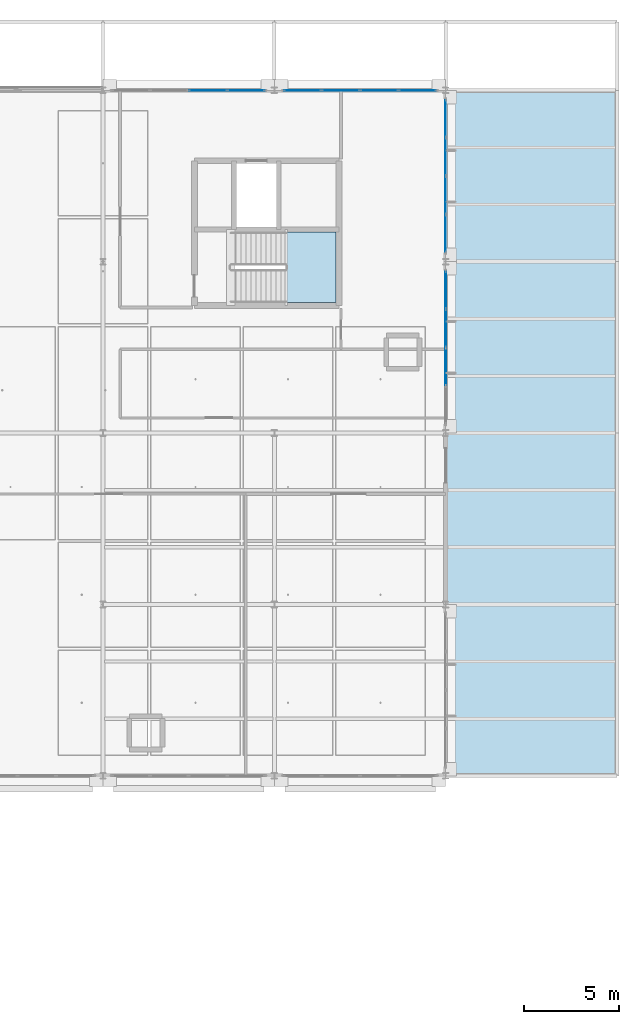
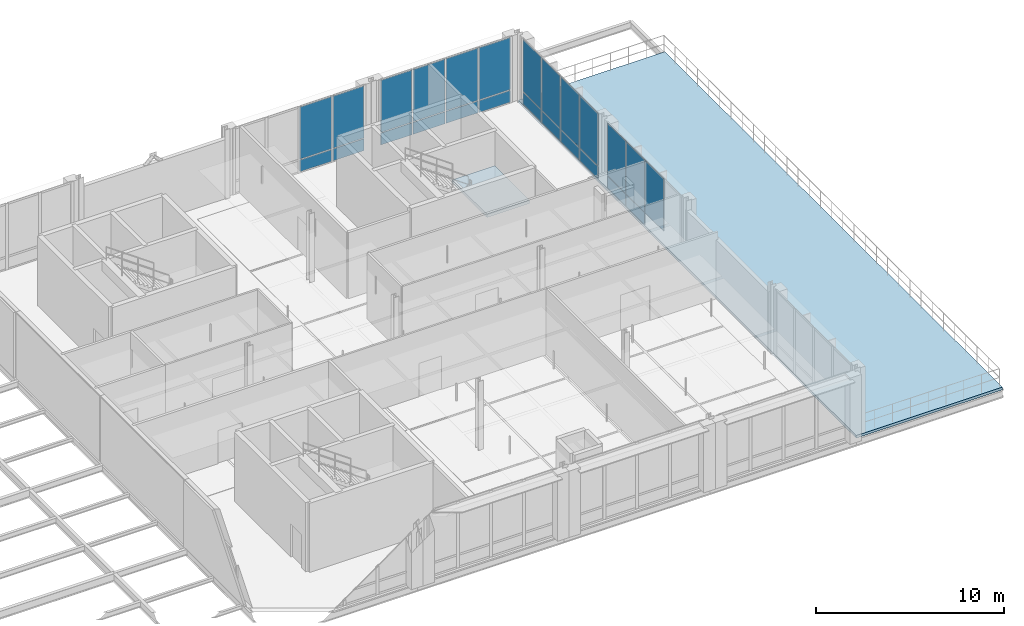
# One storey, part 35 of 66: 25 plates, 2 slabs, 5 elements without a shape of their own.
"""IFC4 building model written with IfcOpenShell, lengths in metres."""

from ifc_helpers import new_model, si_unit, direction, frame, origin, origin_2d, place, context, subcontext, project, spatial, polyline, rectangle, outline, extrude, material, layer, layer_set, type_object, element, aggregate, save


model = new_model("IFC4")

# Units and contexts
model_context = context("Model", 3, precision=1e-05, world=origin(), true_north=direction((0.0, 1.0)))
body_context = subcontext(model_context, "Body", "Model", "MODEL_VIEW")
ifc_project = project(units=[si_unit("LENGTHUNIT", "METRE"), si_unit("AREAUNIT", "SQUARE_METRE"), si_unit("VOLUMEUNIT", "CUBIC_METRE"), si_unit("PLANEANGLEUNIT", "RADIAN"), si_unit("MASSUNIT", "GRAM", prefix="KILO"), si_unit("THERMODYNAMICTEMPERATUREUNIT", "KELVIN"), si_unit("POWERUNIT", "WATT")], contexts=[model_context])

# Site, building, storey
site_placement = place(None, origin())
site = spatial("IfcSite", under=ifc_project, at=site_placement, CompositionType="ELEMENT")
building_placement = place(site_placement, origin())
building = spatial("IfcBuilding", under=site, at=building_placement, Name="Tallowbark Science Centre", CompositionType="ELEMENT")
storey_placement = place(building_placement, frame((0.0, 0.0, 18.89990234375)))
storey = spatial("IfcBuildingStorey", under=building, at=storey_placement, Name="L04", CompositionType="ELEMENT", Elevation=18.89990234375)

# Curtain wall, plates
ifc_material_1 = material(Name="Unitised Thermally Broken Aluminium and Low-E Double Glazing", Category="aluminium")
curtain_wall_type = type_object("IfcCurtainWallType", Name="CW-SYS-FACADE", PredefinedType="NOTDEFINED", material=ifc_material_1)
curtain_wall_1_placement = place(storey_placement, origin())
curtain_wall_1 = element("IfcCurtainWall", 1, at=curtain_wall_1_placement, inside=storey, type_object=curtain_wall_type, Name="Unitised Curtain Wall OBS4-N-130 CW-L04-194", PredefinedType="NOTDEFINED")
ifc_material_2 = material(Name="Double Glazed Argon Low-E Vision Glass", Category="glass")
ifc_layer_1 = layer(ifc_material_2, 0.028076171875)
ifc_layer_set_1 = layer_set([ifc_layer_1], Name="Double Glazed Argon Low-E Vision Glass")
plate_type_1 = type_object("IfcPlateType", Name="CWP-GLZ-28", PredefinedType="CURTAIN_PANEL", material=ifc_layer_set_1)
plate_1_placement = place(storey_placement, frame((138.021240234375, 108.0, 0.05517578125), z_axis=(0.0, 0.0, 1.0), x_axis=(-1.0, 0.0, 0.0)))
plate_1 = element("IfcPlate", 2, at=plate_1_placement, type_object=plate_type_1, Name="CW-01 panel 1.1", PredefinedType="CURTAIN_PANEL", context=body_context, shape_type="SweptSolid", body=[
    extrude(rectangle(XDim=1.927490234375, YDim=0.028076171875, at=origin_2d()), origin(), (0.0, 0.0, 1.0), 0.767578125),
])
plate_2_placement = place(storey_placement, frame((138.021240234375, 108.0, 0.87744140625), z_axis=(0.0, 0.0, 1.0), x_axis=(-1.0, 0.0, 0.0)))
plate_2 = element("IfcPlate", 3, at=plate_2_placement, type_object=plate_type_1, Name="CW-01 panel 1.2", PredefinedType="CURTAIN_PANEL", context=body_context, shape_type="SweptSolid", body=[
    extrude(rectangle(XDim=1.927490234375, YDim=0.028076171875, at=origin_2d()), origin(), (0.0, 0.0, 1.0), 3.387451171875),
])
plate_3_placement = place(storey_placement, frame((136.012451171875, 108.0, 0.05517578125), z_axis=(0.0, 0.0, 1.0), x_axis=(-1.0, 0.0, 0.0)))
plate_3 = element("IfcPlate", 4, at=plate_3_placement, type_object=plate_type_1, Name="CW-01 panel 2.1", PredefinedType="CURTAIN_PANEL", context=body_context, shape_type="SweptSolid", body=[
    extrude(rectangle(XDim=1.9599609375, YDim=0.028076171875, at=origin_2d()), origin(), (0.0, 0.0, 1.0), 0.767578125),
])
plate_4_placement = place(storey_placement, frame((136.012451171875, 108.0, 0.87744140625), z_axis=(0.0, 0.0, 1.0), x_axis=(-1.0, 0.0, 0.0)))
plate_4 = element("IfcPlate", 5, at=plate_4_placement, type_object=plate_type_1, Name="CW-01 panel 2.2", PredefinedType="CURTAIN_PANEL", context=body_context, shape_type="SweptSolid", body=[
    extrude(rectangle(XDim=1.9599609375, YDim=0.028076171875, at=origin_2d()), origin(), (0.0, 0.0, 1.0), 3.387451171875),
])
aggregate(curtain_wall_1, [plate_1, plate_2, plate_3, plate_4])

curtain_wall_2_placement = place(storey_placement, origin())
curtain_wall_2 = element("IfcCurtainWall", 6, at=curtain_wall_2_placement, inside=storey, type_object=curtain_wall_type, Name="Unitised Curtain Wall OBS4-N-139 CW-L04-196", PredefinedType="NOTDEFINED")
plate_5_placement = place(storey_placement, frame((147.021240234375, 108.0, 0.05517578125), z_axis=(0.0, 0.0, 1.0), x_axis=(-1.0, 0.0, 0.0)))
plate_5 = element("IfcPlate", 7, at=plate_5_placement, type_object=plate_type_1, Name="CW-01 panel 1.1", PredefinedType="CURTAIN_PANEL", context=body_context, shape_type="SweptSolid", body=[
    extrude(rectangle(XDim=1.927490234375, YDim=0.028076171875, at=origin_2d()), origin(), (0.0, 0.0, 1.0), 0.767578125),
])
plate_6_placement = place(storey_placement, frame((147.021240234375, 108.0, 0.87744140625), z_axis=(0.0, 0.0, 1.0), x_axis=(-1.0, 0.0, 0.0)))
plate_6 = element("IfcPlate", 8, at=plate_6_placement, type_object=plate_type_1, Name="CW-01 panel 1.2", PredefinedType="CURTAIN_PANEL", context=body_context, shape_type="SweptSolid", body=[
    extrude(rectangle(XDim=1.927490234375, YDim=0.028076171875, at=origin_2d()), origin(), (0.0, 0.0, 1.0), 3.387451171875),
])
plate_7_placement = place(storey_placement, frame((145.012451171875, 108.0, 0.05517578125), z_axis=(0.0, 0.0, 1.0), x_axis=(-1.0, 0.0, 0.0)))
plate_7 = element("IfcPlate", 9, at=plate_7_placement, type_object=plate_type_1, Name="CW-01 panel 2.1", PredefinedType="CURTAIN_PANEL", context=body_context, shape_type="SweptSolid", body=[
    extrude(rectangle(XDim=1.9599609375, YDim=0.028076171875, at=origin_2d()), origin(), (0.0, 0.0, 1.0), 0.767578125),
])
plate_8_placement = place(storey_placement, frame((145.012451171875, 108.0, 0.87744140625), z_axis=(0.0, 0.0, 1.0), x_axis=(-1.0, 0.0, 0.0)))
plate_8 = element("IfcPlate", 10, at=plate_8_placement, type_object=plate_type_1, Name="CW-01 panel 2.2", PredefinedType="CURTAIN_PANEL", context=body_context, shape_type="SweptSolid", body=[
    extrude(rectangle(XDim=1.9599609375, YDim=0.028076171875, at=origin_2d()), origin(), (0.0, 0.0, 1.0), 3.387451171875),
])
plate_9_placement = place(storey_placement, frame((142.987548828125, 108.0, 0.05517578125), z_axis=(0.0, 0.0, 1.0), x_axis=(-1.0, 0.0, 0.0)))
plate_9 = element("IfcPlate", 11, at=plate_9_placement, type_object=plate_type_1, Name="CW-01 panel 3.1", PredefinedType="CURTAIN_PANEL", context=body_context, shape_type="SweptSolid", body=[
    extrude(rectangle(XDim=1.9599609375, YDim=0.028076171875, at=origin_2d()), origin(), (0.0, 0.0, 1.0), 0.767578125),
])
plate_10_placement = place(storey_placement, frame((142.987548828125, 108.0, 0.87744140625), z_axis=(0.0, 0.0, 1.0), x_axis=(-1.0, 0.0, 0.0)))
plate_10 = element("IfcPlate", 12, at=plate_10_placement, type_object=plate_type_1, Name="CW-01 panel 3.2", PredefinedType="CURTAIN_PANEL", context=body_context, shape_type="SweptSolid", body=[
    extrude(rectangle(XDim=1.9599609375, YDim=0.028076171875, at=origin_2d()), origin(), (0.0, 0.0, 1.0), 3.387451171875),
])
plate_11_placement = place(storey_placement, frame((140.978759765625, 108.0, 0.05517578125), z_axis=(0.0, 0.0, 1.0), x_axis=(-1.0, 0.0, 0.0)))
plate_11 = element("IfcPlate", 13, at=plate_11_placement, type_object=plate_type_1, Name="CW-01 panel 4.1", PredefinedType="CURTAIN_PANEL", context=body_context, shape_type="SweptSolid", body=[
    extrude(rectangle(XDim=1.927490234375, YDim=0.028076171875, at=origin_2d()), origin(), (0.0, 0.0, 1.0), 0.767578125),
])
plate_12_placement = place(storey_placement, frame((140.978759765625, 108.0, 0.87744140625), z_axis=(0.0, 0.0, 1.0), x_axis=(-1.0, 0.0, 0.0)))
plate_12 = element("IfcPlate", 14, at=plate_12_placement, type_object=plate_type_1, Name="CW-01 panel 4.2", PredefinedType="CURTAIN_PANEL", context=body_context, shape_type="SweptSolid", body=[
    extrude(rectangle(XDim=1.927490234375, YDim=0.028076171875, at=origin_2d()), origin(), (0.0, 0.0, 1.0), 3.387451171875),
])
aggregate(curtain_wall_2, [plate_5, plate_6, plate_7, plate_8, plate_9, plate_10, plate_11, plate_12])

curtain_wall_3_placement = place(storey_placement, origin())
curtain_wall_3 = element("IfcCurtainWall", 15, at=curtain_wall_3_placement, inside=storey, type_object=curtain_wall_type, Name="Unitised Curtain Wall OBS4-E-99 CW-L04-199", PredefinedType="NOTDEFINED")
plate_13_placement = place(storey_placement, frame((148.5, 100.478759765625, 0.05517578125), z_axis=(0.0, 0.0, 1.0), x_axis=(0.0, 1.0, 0.0)))
plate_13 = element("IfcPlate", 16, at=plate_13_placement, type_object=plate_type_1, Name="CW-01 panel 1.1", PredefinedType="CURTAIN_PANEL", context=body_context, shape_type="SweptSolid", body=[
    extrude(rectangle(XDim=1.927490234375, YDim=0.028076171875, at=origin_2d()), origin(), (0.0, 0.0, 1.0), 0.767578125),
])
plate_14_placement = place(storey_placement, frame((148.5, 100.478759765625, 0.87744140625), z_axis=(0.0, 0.0, 1.0), x_axis=(0.0, 1.0, 0.0)))
plate_14 = element("IfcPlate", 17, at=plate_14_placement, type_object=plate_type_1, Name="CW-01 panel 1.2", PredefinedType="CURTAIN_PANEL", context=body_context, shape_type="SweptSolid", body=[
    extrude(rectangle(XDim=1.927490234375, YDim=0.028076171875, at=origin_2d()), origin(), (0.0, 0.0, 1.0), 3.387451171875),
])
plate_15_placement = place(storey_placement, frame((148.5, 102.487548828125, 0.05517578125), z_axis=(0.0, 0.0, 1.0), x_axis=(0.0, 1.0, 0.0)))
plate_15 = element("IfcPlate", 18, at=plate_15_placement, type_object=plate_type_1, Name="CW-01 panel 2.1", PredefinedType="CURTAIN_PANEL", context=body_context, shape_type="SweptSolid", body=[
    extrude(rectangle(XDim=1.9599609375, YDim=0.028076171875, at=origin_2d()), origin(), (0.0, 0.0, 1.0), 0.767578125),
])
plate_16_placement = place(storey_placement, frame((148.5, 102.487548828125, 0.87744140625), z_axis=(0.0, 0.0, 1.0), x_axis=(0.0, 1.0, 0.0)))
plate_16 = element("IfcPlate", 19, at=plate_16_placement, type_object=plate_type_1, Name="CW-01 panel 2.2", PredefinedType="CURTAIN_PANEL", context=body_context, shape_type="SweptSolid", body=[
    extrude(rectangle(XDim=1.9599609375, YDim=0.028076171875, at=origin_2d()), origin(), (0.0, 0.0, 1.0), 3.387451171875),
])
plate_17_placement = place(storey_placement, frame((148.5, 104.512451171875, 0.05517578125), z_axis=(0.0, 0.0, 1.0), x_axis=(0.0, 1.0, 0.0)))
plate_17 = element("IfcPlate", 20, at=plate_17_placement, type_object=plate_type_1, Name="CW-01 panel 3.1", PredefinedType="CURTAIN_PANEL", context=body_context, shape_type="SweptSolid", body=[
    extrude(rectangle(XDim=1.9599609375, YDim=0.028076171875, at=origin_2d()), origin(), (0.0, 0.0, 1.0), 0.767578125),
])
plate_18_placement = place(storey_placement, frame((148.5, 104.512451171875, 0.87744140625), z_axis=(0.0, 0.0, 1.0), x_axis=(0.0, 1.0, 0.0)))
plate_18 = element("IfcPlate", 21, at=plate_18_placement, type_object=plate_type_1, Name="CW-01 panel 3.2", PredefinedType="CURTAIN_PANEL", context=body_context, shape_type="SweptSolid", body=[
    extrude(rectangle(XDim=1.9599609375, YDim=0.028076171875, at=origin_2d()), origin(), (0.0, 0.0, 1.0), 3.387451171875),
])
plate_19_placement = place(storey_placement, frame((148.5, 106.521240234375, 0.05517578125), z_axis=(0.0, 0.0, 1.0), x_axis=(0.0, 1.0, 0.0)))
plate_19 = element("IfcPlate", 22, at=plate_19_placement, type_object=plate_type_1, Name="CW-01 panel 4.1", PredefinedType="CURTAIN_PANEL", context=body_context, shape_type="SweptSolid", body=[
    extrude(rectangle(XDim=1.927490234375, YDim=0.028076171875, at=origin_2d()), origin(), (0.0, 0.0, 1.0), 0.767578125),
])
plate_20_placement = place(storey_placement, frame((148.5, 106.521240234375, 0.87744140625), z_axis=(0.0, 0.0, 1.0), x_axis=(0.0, 1.0, 0.0)))
plate_20 = element("IfcPlate", 23, at=plate_20_placement, type_object=plate_type_1, Name="CW-01 panel 4.2", PredefinedType="CURTAIN_PANEL", context=body_context, shape_type="SweptSolid", body=[
    extrude(rectangle(XDim=1.927490234375, YDim=0.028076171875, at=origin_2d()), origin(), (0.0, 0.0, 1.0), 3.387451171875),
])
aggregate(curtain_wall_3, [plate_13, plate_14, plate_15, plate_16, plate_17, plate_18, plate_19, plate_20])

curtain_wall_4_placement = place(storey_placement, origin())
curtain_wall_4 = element("IfcCurtainWall", 24, at=curtain_wall_4_placement, inside=storey, type_object=curtain_wall_type, Name="Unitised Curtain Wall OBS4-E-90 CW-L04-198", PredefinedType="NOTDEFINED")
ifc_material_3 = material(Name="Ceramic-Fritted Insulated Glass Spandrel Panel", Category="glass")
ifc_layer_2 = layer(ifc_material_3, 0.031982421875)
ifc_layer_set_2 = layer_set([ifc_layer_2], Name="Ceramic-Fritted Insulated Glass Spandrel Panel")
plate_type_2 = type_object("IfcPlateType", Name="CWP-SPN-32", PredefinedType="CURTAIN_PANEL", material=ifc_layer_set_2)
plate_21_placement = place(storey_placement, frame((148.5, 93.487548828125, 0.87744140625), z_axis=(0.0, 0.0, 1.0), x_axis=(0.0, 1.0, 0.0)))
plate_21 = element("IfcPlate", 25, at=plate_21_placement, type_object=plate_type_2, Name="CW-01 panel 2.2", PredefinedType="CURTAIN_PANEL", context=body_context, shape_type="SweptSolid", body=[
    extrude(rectangle(XDim=1.9599609375, YDim=0.031982421875, at=origin_2d()), origin(), (0.0, 0.0, 1.0), 3.387451171875),
])
plate_22_placement = place(storey_placement, frame((148.5, 95.512451171875, 0.05517578125), z_axis=(0.0, 0.0, 1.0), x_axis=(0.0, 1.0, 0.0)))
plate_22 = element("IfcPlate", 26, at=plate_22_placement, type_object=plate_type_2, Name="CW-01 panel 3.1", PredefinedType="CURTAIN_PANEL", context=body_context, shape_type="SweptSolid", body=[
    extrude(rectangle(XDim=1.9599609375, YDim=0.031982421875, at=origin_2d()), origin(), (0.0, 0.0, 1.0), 0.767578125),
])
plate_23_placement = place(storey_placement, frame((148.5, 95.512451171875, 0.87744140625), z_axis=(0.0, 0.0, 1.0), x_axis=(0.0, 1.0, 0.0)))
plate_23 = element("IfcPlate", 27, at=plate_23_placement, type_object=plate_type_2, Name="CW-01 panel 3.2", PredefinedType="CURTAIN_PANEL", context=body_context, shape_type="SweptSolid", body=[
    extrude(rectangle(XDim=1.9599609375, YDim=0.031982421875, at=origin_2d()), origin(), (0.0, 0.0, 1.0), 3.387451171875),
])
plate_24_placement = place(storey_placement, frame((148.5, 97.521240234375, 0.05517578125), z_axis=(0.0, 0.0, 1.0), x_axis=(0.0, 1.0, 0.0)))
plate_24 = element("IfcPlate", 28, at=plate_24_placement, type_object=plate_type_2, Name="CW-01 panel 4.1", PredefinedType="CURTAIN_PANEL", context=body_context, shape_type="SweptSolid", body=[
    extrude(rectangle(XDim=1.927490234375, YDim=0.031982421875, at=origin_2d()), origin(), (0.0, 0.0, 1.0), 0.767578125),
])
plate_25_placement = place(storey_placement, frame((148.5, 97.521240234375, 0.87744140625), z_axis=(0.0, 0.0, 1.0), x_axis=(0.0, 1.0, 0.0)))
plate_25 = element("IfcPlate", 29, at=plate_25_placement, type_object=plate_type_2, Name="CW-01 panel 4.2", PredefinedType="CURTAIN_PANEL", context=body_context, shape_type="SweptSolid", body=[
    extrude(rectangle(XDim=1.927490234375, YDim=0.031982421875, at=origin_2d()), origin(), (0.0, 0.0, 1.0), 3.387451171875),
])
aggregate(curtain_wall_4, [plate_21, plate_22, plate_23, plate_24, plate_25])

# Stair, slab
ifc_material_4 = material(Name="Concrete Grade N40 (40 MPa)", Category="concrete")
stair_type = type_object("IfcStairType", Name="STR-C4", PredefinedType="HALF_TURN_STAIR", material=ifc_material_4)
stair_placement = place(storey_placement, origin())
stair = element("IfcStair", 30, at=stair_placement, inside=storey, type_object=stair_type, Name="L04 Fire Stair ST-04", PredefinedType="HALF_TURN_STAIR")
ifc_layer_3 = layer(ifc_material_4, 0.199951171875)
ifc_layer_set_3 = layer_set([ifc_layer_3], Name="Concrete Grade N40 (40 MPa)")
slab_type_1 = type_object("IfcSlabType", Name="SLB-LND-200", PredefinedType="LANDING", material=ifc_layer_set_3)
slab_1_placement = place(storey_placement, frame((0.0, 0.0, 2.050048828125)))
slab_1 = element("IfcSlab", 31, at=slab_1_placement, type_object=slab_type_1, Name="ST-04 landing 1", PredefinedType="LANDING", context=body_context, shape_type="SweptSolid", body=[
    extrude(outline(polyline([(140.125, 96.85009765625), (142.75, 96.85009765625), (142.75, 100.570068359375), (140.125, 100.570068359375), (140.125, 96.85009765625)])), origin(), (0.0, 0.0, 1.0), 0.199951171875),
])
aggregate(stair, [slab_1])

# Slab
ifc_layer_4 = layer(ifc_material_4, 0.169921875)
ifc_layer_set_4 = layer_set([ifc_layer_4], Name="Concrete Grade N40 (40 MPa)")
slab_type_2 = type_object("IfcSlabType", Name="SLB-TER-170", PredefinedType="FLOOR", material=ifc_layer_set_4)
slab_2_placement = place(storey_placement, frame((0.0, 0.0, -0.169921875)))
element("IfcSlab", 32, at=slab_2_placement, inside=storey, type_object=slab_type_2, Name="Astronomy L04 East Planted Roof Terrace SLB-OBS-RG-L04", PredefinedType="FLOOR", context=body_context, shape_type="SweptSolid", body=[
    extrude(outline(polyline([(148.5, 72.0), (157.5, 72.0), (157.5, 108.0), (148.5, 108.0), (148.5, 72.0)])), origin(), (0.0, 0.0, 1.0), 0.169921875),
])

save(model, "model.ifc")
